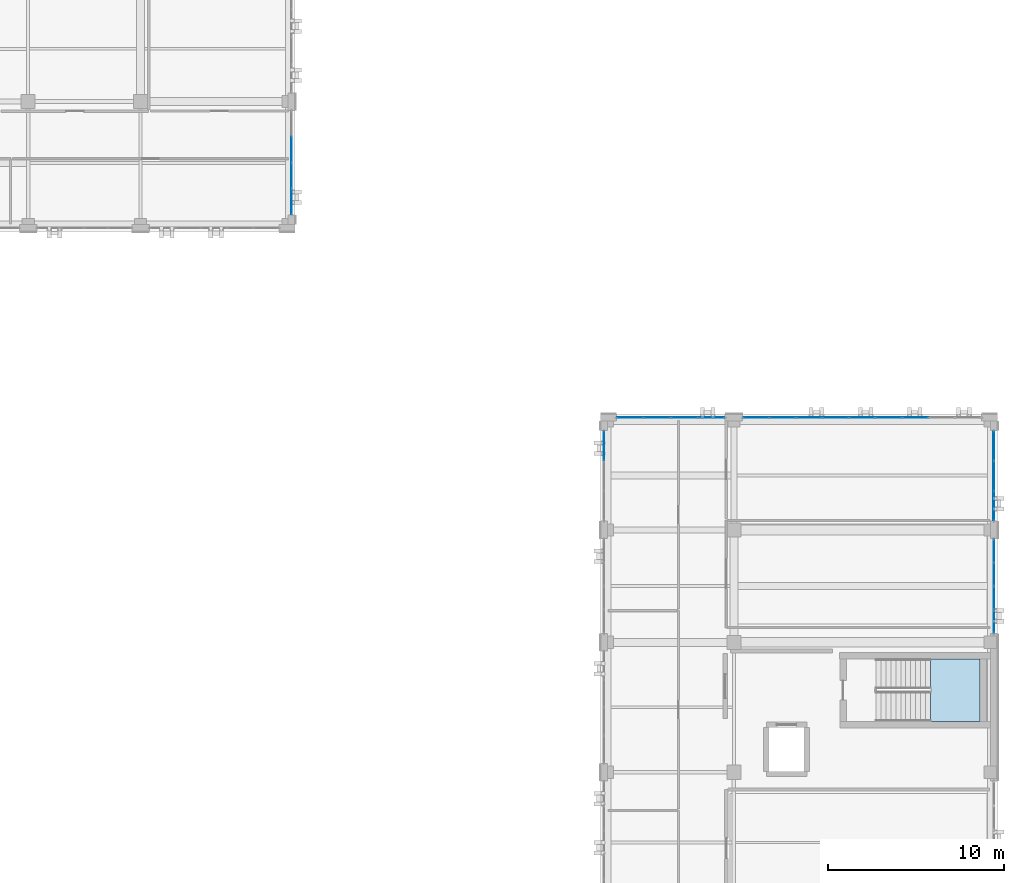
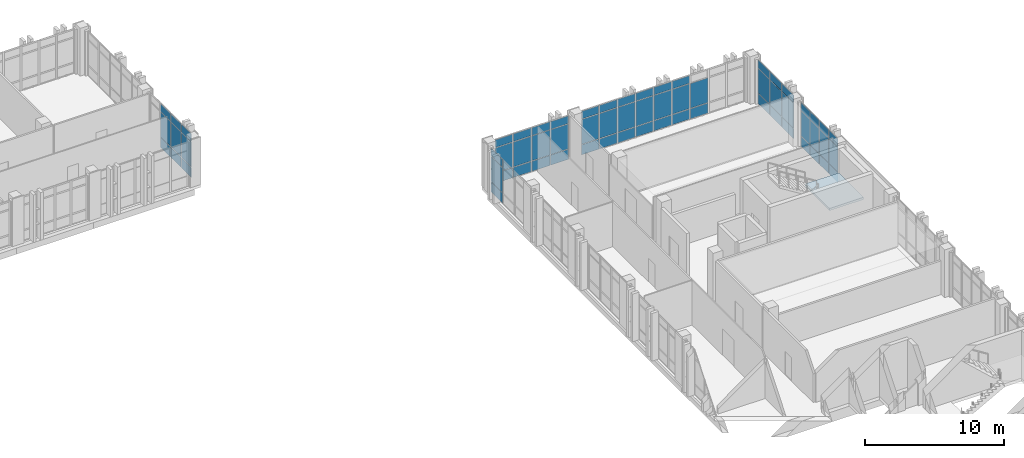
# One storey, part 126 of 158: 65 plates, 1 slab, 7 elements without a shape of their own.
"""IFC4 building model written with IfcOpenShell, lengths in metres."""

from ifc_helpers import new_model, si_unit, direction, frame, origin, origin_2d, place, context, subcontext, project, spatial, polyline, rectangle, outline, extrude, material, layer, layer_set, type_object, element, aggregate, save


model = new_model("IFC4")

# Units and contexts
model_context = context("Model", 3, precision=1e-05, world=origin(), true_north=direction((0.0, 1.0)))
body_context = subcontext(model_context, "Body", "Model", "MODEL_VIEW")
ifc_project = project(units=[si_unit("LENGTHUNIT", "METRE"), si_unit("AREAUNIT", "SQUARE_METRE"), si_unit("VOLUMEUNIT", "CUBIC_METRE"), si_unit("PLANEANGLEUNIT", "RADIAN"), si_unit("MASSUNIT", "GRAM", prefix="KILO")], contexts=[model_context])

# Site, building, storey
site_placement = place(None, origin())
site = spatial("IfcSite", under=ifc_project, at=site_placement, CompositionType="ELEMENT")
building_placement = place(site_placement, origin())
building = spatial("IfcBuilding", under=site, at=building_placement, Name="Qalavern Law Courts", CompositionType="ELEMENT")
storey_placement = place(building_placement, frame((0.0, 0.0, 18.60009765625)))
storey = spatial("IfcBuildingStorey", under=building, at=storey_placement, Name="L04", CompositionType="ELEMENT", Elevation=18.60009765625)

# Curtain wall, plates
ifc_material_1 = material(Name="Anodised aluminium and insulated glazing", Category="aluminium")
ifc_layer_1 = layer(ifc_material_1, 0.159912109375)
ifc_layer_set_1 = layer_set([ifc_layer_1], Name="Anodised aluminium and insulated glazing")
curtain_wall_type_1 = type_object("IfcCurtainWallType", Name="ENV-CW-CHAMB", PredefinedType="USERDEFINED", material=ifc_layer_set_1)
curtain_wall_1_placement = place(storey_placement, origin())
curtain_wall_1 = element("IfcCurtainWall", 1, at=curtain_wall_1_placement, inside=storey, type_object=curtain_wall_type_1, Name="V4 unitised curtain wall L04 north 1", ObjectType="UNITISED CURTAIN WALL", PredefinedType="USERDEFINED")
ifc_material_2 = material(Name="Insulated low-E acoustic glazing", Category="glass")
ifc_layer_2 = layer(ifc_material_2, 0.02392578125)
ifc_layer_set_2 = layer_set([ifc_layer_2], Name="Insulated low-E acoustic glazing")
plate_type_1 = type_object("IfcPlateType", Name="ENV-CWP-24", PredefinedType="CURTAIN_PANEL", material=ifc_layer_set_2)
plate_1_placement = place(storey_placement, frame((102.122314453125, 85.60009765625, 0.0478515625), z_axis=(0.0, 0.0, 1.0), x_axis=(-1.0, 0.0, 0.0)))
plate_1 = element("IfcPlate", 2, at=plate_1_placement, type_object=plate_type_1, Name="CW-04 panel 3.1", PredefinedType="CURTAIN_PANEL", context=body_context, shape_type="SweptSolid", body=[
    extrude(rectangle(XDim=1.463134765625, YDim=0.02392578125, at=origin_2d()), origin(), (0.0, 0.0, 1.0), 0.8779296875),
])
plate_2_placement = place(storey_placement, frame((102.122314453125, 85.60009765625, 0.97412109375), z_axis=(0.0, 0.0, 1.0), x_axis=(-1.0, 0.0, 0.0)))
plate_2 = element("IfcPlate", 3, at=plate_2_placement, type_object=plate_type_1, Name="CW-04 panel 3.2", PredefinedType="CURTAIN_PANEL", context=body_context, shape_type="SweptSolid", body=[
    extrude(rectangle(XDim=1.463134765625, YDim=0.02392578125, at=origin_2d()), origin(), (0.0, 0.0, 1.0), 2.177001953125),
])
plate_3_placement = place(storey_placement, frame((100.611083984375, 85.60009765625, 0.0478515625), z_axis=(0.0, 0.0, 1.0), x_axis=(-1.0, 0.0, 0.0)))
plate_3 = element("IfcPlate", 4, at=plate_3_placement, type_object=plate_type_1, Name="CW-04 panel 4.1", PredefinedType="CURTAIN_PANEL", context=body_context, shape_type="SweptSolid", body=[
    extrude(rectangle(XDim=1.463134765625, YDim=0.02392578125, at=origin_2d()), origin(), (0.0, 0.0, 1.0), 0.8779296875),
])
plate_4_placement = place(storey_placement, frame((100.611083984375, 85.60009765625, 0.97412109375), z_axis=(0.0, 0.0, 1.0), x_axis=(-1.0, 0.0, 0.0)))
plate_4 = element("IfcPlate", 5, at=plate_4_placement, type_object=plate_type_1, Name="CW-04 panel 4.2", PredefinedType="CURTAIN_PANEL", context=body_context, shape_type="SweptSolid", body=[
    extrude(rectangle(XDim=1.463134765625, YDim=0.02392578125, at=origin_2d()), origin(), (0.0, 0.0, 1.0), 2.177001953125),
])
plate_5_placement = place(storey_placement, frame((100.611083984375, 85.60009765625, 3.19873046875), z_axis=(0.0, 0.0, 1.0), x_axis=(-1.0, 0.0, 0.0)))
plate_5 = element("IfcPlate", 6, at=plate_5_placement, type_object=plate_type_1, Name="CW-04 panel 4.3", PredefinedType="CURTAIN_PANEL", context=body_context, shape_type="SweptSolid", body=[
    extrude(rectangle(XDim=1.463134765625, YDim=0.02392578125, at=origin_2d()), origin(), (0.0, 0.0, 1.0), 0.677978515625),
])
plate_6_placement = place(storey_placement, frame((99.10009765625, 85.60009765625, 0.0478515625), z_axis=(0.0, 0.0, 1.0), x_axis=(-1.0, 0.0, 0.0)))
plate_6 = element("IfcPlate", 7, at=plate_6_placement, type_object=plate_type_1, Name="CW-04 panel 5.1", PredefinedType="CURTAIN_PANEL", context=body_context, shape_type="SweptSolid", body=[
    extrude(rectangle(XDim=1.463134765625, YDim=0.02392578125, at=origin_2d()), origin(), (0.0, 0.0, 1.0), 0.8779296875),
])
plate_7_placement = place(storey_placement, frame((99.10009765625, 85.60009765625, 0.97412109375), z_axis=(0.0, 0.0, 1.0), x_axis=(-1.0, 0.0, 0.0)))
plate_7 = element("IfcPlate", 8, at=plate_7_placement, type_object=plate_type_1, Name="CW-04 panel 5.2", PredefinedType="CURTAIN_PANEL", context=body_context, shape_type="SweptSolid", body=[
    extrude(rectangle(XDim=1.463134765625, YDim=0.02392578125, at=origin_2d()), origin(), (0.0, 0.0, 1.0), 2.177001953125),
])
plate_8_placement = place(storey_placement, frame((99.10009765625, 85.60009765625, 3.19873046875), z_axis=(0.0, 0.0, 1.0), x_axis=(-1.0, 0.0, 0.0)))
plate_8 = element("IfcPlate", 9, at=plate_8_placement, type_object=plate_type_1, Name="CW-04 panel 5.3", PredefinedType="CURTAIN_PANEL", context=body_context, shape_type="SweptSolid", body=[
    extrude(rectangle(XDim=1.463134765625, YDim=0.02392578125, at=origin_2d()), origin(), (0.0, 0.0, 1.0), 0.677978515625),
])
plate_9_placement = place(storey_placement, frame((97.5888671875, 85.60009765625, 0.0478515625), z_axis=(0.0, 0.0, 1.0), x_axis=(-1.0, 0.0, 0.0)))
plate_9 = element("IfcPlate", 10, at=plate_9_placement, type_object=plate_type_1, Name="CW-04 panel 6.1", PredefinedType="CURTAIN_PANEL", context=body_context, shape_type="SweptSolid", body=[
    extrude(rectangle(XDim=1.463134765625, YDim=0.02392578125, at=origin_2d()), origin(), (0.0, 0.0, 1.0), 0.8779296875),
])
plate_10_placement = place(storey_placement, frame((97.5888671875, 85.60009765625, 0.97412109375), z_axis=(0.0, 0.0, 1.0), x_axis=(-1.0, 0.0, 0.0)))
plate_10 = element("IfcPlate", 11, at=plate_10_placement, type_object=plate_type_1, Name="CW-04 panel 6.2", PredefinedType="CURTAIN_PANEL", context=body_context, shape_type="SweptSolid", body=[
    extrude(rectangle(XDim=1.463134765625, YDim=0.02392578125, at=origin_2d()), origin(), (0.0, 0.0, 1.0), 2.177001953125),
])
plate_11_placement = place(storey_placement, frame((97.5888671875, 85.60009765625, 3.19873046875), z_axis=(0.0, 0.0, 1.0), x_axis=(-1.0, 0.0, 0.0)))
plate_11 = element("IfcPlate", 12, at=plate_11_placement, type_object=plate_type_1, Name="CW-04 panel 6.3", PredefinedType="CURTAIN_PANEL", context=body_context, shape_type="SweptSolid", body=[
    extrude(rectangle(XDim=1.463134765625, YDim=0.02392578125, at=origin_2d()), origin(), (0.0, 0.0, 1.0), 0.677978515625),
])
plate_12_placement = place(storey_placement, frame((96.077880859375, 85.60009765625, 0.0478515625), z_axis=(0.0, 0.0, 1.0), x_axis=(-1.0, 0.0, 0.0)))
plate_12 = element("IfcPlate", 13, at=plate_12_placement, type_object=plate_type_1, Name="CW-04 panel 7.1", PredefinedType="CURTAIN_PANEL", context=body_context, shape_type="SweptSolid", body=[
    extrude(rectangle(XDim=1.463134765625, YDim=0.02392578125, at=origin_2d()), origin(), (0.0, 0.0, 1.0), 0.8779296875),
])
plate_13_placement = place(storey_placement, frame((96.077880859375, 85.60009765625, 0.97412109375), z_axis=(0.0, 0.0, 1.0), x_axis=(-1.0, 0.0, 0.0)))
plate_13 = element("IfcPlate", 14, at=plate_13_placement, type_object=plate_type_1, Name="CW-04 panel 7.2", PredefinedType="CURTAIN_PANEL", context=body_context, shape_type="SweptSolid", body=[
    extrude(rectangle(XDim=1.463134765625, YDim=0.02392578125, at=origin_2d()), origin(), (0.0, 0.0, 1.0), 2.177001953125),
])
plate_14_placement = place(storey_placement, frame((96.077880859375, 85.60009765625, 3.19873046875), z_axis=(0.0, 0.0, 1.0), x_axis=(-1.0, 0.0, 0.0)))
plate_14 = element("IfcPlate", 15, at=plate_14_placement, type_object=plate_type_1, Name="CW-04 panel 7.3", PredefinedType="CURTAIN_PANEL", context=body_context, shape_type="SweptSolid", body=[
    extrude(rectangle(XDim=1.463134765625, YDim=0.02392578125, at=origin_2d()), origin(), (0.0, 0.0, 1.0), 0.677978515625),
])
plate_15_placement = place(storey_placement, frame((94.566650390625, 85.60009765625, 0.0478515625), z_axis=(0.0, 0.0, 1.0), x_axis=(-1.0, 0.0, 0.0)))
plate_15 = element("IfcPlate", 16, at=plate_15_placement, type_object=plate_type_1, Name="CW-04 panel 8.1", PredefinedType="CURTAIN_PANEL", context=body_context, shape_type="SweptSolid", body=[
    extrude(rectangle(XDim=1.463134765625, YDim=0.02392578125, at=origin_2d()), origin(), (0.0, 0.0, 1.0), 0.8779296875),
])
plate_16_placement = place(storey_placement, frame((94.566650390625, 85.60009765625, 0.97412109375), z_axis=(0.0, 0.0, 1.0), x_axis=(-1.0, 0.0, 0.0)))
plate_16 = element("IfcPlate", 17, at=plate_16_placement, type_object=plate_type_1, Name="CW-04 panel 8.2", PredefinedType="CURTAIN_PANEL", context=body_context, shape_type="SweptSolid", body=[
    extrude(rectangle(XDim=1.463134765625, YDim=0.02392578125, at=origin_2d()), origin(), (0.0, 0.0, 1.0), 2.177001953125),
])
plate_17_placement = place(storey_placement, frame((94.566650390625, 85.60009765625, 3.19873046875), z_axis=(0.0, 0.0, 1.0), x_axis=(-1.0, 0.0, 0.0)))
plate_17 = element("IfcPlate", 18, at=plate_17_placement, type_object=plate_type_1, Name="CW-04 panel 8.3", PredefinedType="CURTAIN_PANEL", context=body_context, shape_type="SweptSolid", body=[
    extrude(rectangle(XDim=1.463134765625, YDim=0.02392578125, at=origin_2d()), origin(), (0.0, 0.0, 1.0), 0.677978515625),
])
plate_18_placement = place(storey_placement, frame((93.067626953125, 85.60009765625, 0.0478515625), z_axis=(0.0, 0.0, 1.0), x_axis=(-1.0, 0.0, 0.0)))
plate_18 = element("IfcPlate", 19, at=plate_18_placement, type_object=plate_type_1, Name="CW-04 panel 9.1", PredefinedType="CURTAIN_PANEL", context=body_context, shape_type="SweptSolid", body=[
    extrude(rectangle(XDim=1.439208984375, YDim=0.02392578125, at=origin_2d()), origin(), (0.0, 0.0, 1.0), 0.8779296875),
])
plate_19_placement = place(storey_placement, frame((93.067626953125, 85.60009765625, 0.97412109375), z_axis=(0.0, 0.0, 1.0), x_axis=(-1.0, 0.0, 0.0)))
plate_19 = element("IfcPlate", 20, at=plate_19_placement, type_object=plate_type_1, Name="CW-04 panel 9.2", PredefinedType="CURTAIN_PANEL", context=body_context, shape_type="SweptSolid", body=[
    extrude(rectangle(XDim=1.439208984375, YDim=0.02392578125, at=origin_2d()), origin(), (0.0, 0.0, 1.0), 2.177001953125),
])
plate_20_placement = place(storey_placement, frame((93.067626953125, 85.60009765625, 3.19873046875), z_axis=(0.0, 0.0, 1.0), x_axis=(-1.0, 0.0, 0.0)))
plate_20 = element("IfcPlate", 21, at=plate_20_placement, type_object=plate_type_1, Name="CW-04 panel 9.3", PredefinedType="CURTAIN_PANEL", context=body_context, shape_type="SweptSolid", body=[
    extrude(rectangle(XDim=1.439208984375, YDim=0.02392578125, at=origin_2d()), origin(), (0.0, 0.0, 1.0), 0.677978515625),
])
aggregate(curtain_wall_1, [plate_1, plate_2, plate_3, plate_4, plate_5, plate_6, plate_7, plate_8, plate_9, plate_10, plate_11, plate_12, plate_13, plate_14, plate_15, plate_16, plate_17, plate_18, plate_19, plate_20])

curtain_wall_2_placement = place(storey_placement, origin())
curtain_wall_2 = element("IfcCurtainWall", 22, at=curtain_wall_2_placement, inside=storey, type_object=curtain_wall_type_1, Name="V4 unitised curtain wall L04 west 1", ObjectType="UNITISED CURTAIN WALL", PredefinedType="USERDEFINED")
plate_21_placement = place(storey_placement, frame((84.39990234375, 83.98388671875, 0.0478515625), z_axis=(0.0, 0.0, 1.0), x_axis=(0.0, -1.0, 0.0)))
plate_21 = element("IfcPlate", 23, at=plate_21_placement, type_object=plate_type_1, Name="CW-04 panel 1.1", PredefinedType="CURTAIN_PANEL", context=body_context, shape_type="SweptSolid", body=[
    extrude(rectangle(XDim=1.646240234375, YDim=0.02392578125, at=origin_2d()), origin(), (0.0, 0.0, 1.0), 0.8779296875),
])
plate_22_placement = place(storey_placement, frame((84.39990234375, 83.98388671875, 0.97412109375), z_axis=(0.0, 0.0, 1.0), x_axis=(0.0, -1.0, 0.0)))
plate_22 = element("IfcPlate", 24, at=plate_22_placement, type_object=plate_type_1, Name="CW-04 panel 1.2", PredefinedType="CURTAIN_PANEL", context=body_context, shape_type="SweptSolid", body=[
    extrude(rectangle(XDim=1.646240234375, YDim=0.02392578125, at=origin_2d()), origin(), (0.0, 0.0, 1.0), 2.177001953125),
])
plate_23_placement = place(storey_placement, frame((84.39990234375, 83.98388671875, 3.19873046875), z_axis=(0.0, 0.0, 1.0), x_axis=(0.0, -1.0, 0.0)))
plate_23 = element("IfcPlate", 25, at=plate_23_placement, type_object=plate_type_1, Name="CW-04 panel 1.3", PredefinedType="CURTAIN_PANEL", context=body_context, shape_type="SweptSolid", body=[
    extrude(rectangle(XDim=1.646240234375, YDim=0.02392578125, at=origin_2d()), origin(), (0.0, 0.0, 1.0), 0.677978515625),
])
aggregate(curtain_wall_2, [plate_21, plate_22, plate_23])

ifc_layer_3 = layer(ifc_material_1, 0.166015625)
ifc_layer_set_3 = layer_set([ifc_layer_3], Name="Anodised aluminium and insulated glazing")
curtain_wall_type_2 = type_object("IfcCurtainWallType", Name="ENV-CW-LIB", PredefinedType="USERDEFINED", material=ifc_layer_set_3)
curtain_wall_3_placement = place(storey_placement, origin())
curtain_wall_3 = element("IfcCurtainWall", 26, at=curtain_wall_3_placement, inside=storey, type_object=curtain_wall_type_2, Name="V5 unitised curtain wall L04 east 1", ObjectType="UNITISED CURTAIN WALL", PredefinedType="USERDEFINED")
plate_24_placement = place(storey_placement, frame((66.60009765625, 97.9013671875, 0.0478515625), z_axis=(0.0, 0.0, 1.0), x_axis=(0.0, 1.0, 0.0)))
plate_24 = element("IfcPlate", 27, at=plate_24_placement, type_object=plate_type_1, Name="CW-05 panel 1.1", PredefinedType="CURTAIN_PANEL", context=body_context, shape_type="SweptSolid", body=[
    extrude(rectangle(XDim=1.416748046875, YDim=0.02392578125, at=origin_2d()), origin(), (0.0, 0.0, 1.0), 0.8779296875),
])
plate_25_placement = place(storey_placement, frame((66.60009765625, 97.9013671875, 0.97412109375), z_axis=(0.0, 0.0, 1.0), x_axis=(0.0, 1.0, 0.0)))
plate_25 = element("IfcPlate", 28, at=plate_25_placement, type_object=plate_type_1, Name="CW-05 panel 1.2", PredefinedType="CURTAIN_PANEL", context=body_context, shape_type="SweptSolid", body=[
    extrude(rectangle(XDim=1.416748046875, YDim=0.02392578125, at=origin_2d()), origin(), (0.0, 0.0, 1.0), 2.177001953125),
])
plate_26_placement = place(storey_placement, frame((66.60009765625, 97.9013671875, 3.19873046875), z_axis=(0.0, 0.0, 1.0), x_axis=(0.0, 1.0, 0.0)))
plate_26 = element("IfcPlate", 29, at=plate_26_placement, type_object=plate_type_1, Name="CW-05 panel 1.3", PredefinedType="CURTAIN_PANEL", context=body_context, shape_type="SweptSolid", body=[
    extrude(rectangle(XDim=1.416748046875, YDim=0.02392578125, at=origin_2d()), origin(), (0.0, 0.0, 1.0), 0.677978515625),
])
plate_27_placement = place(storey_placement, frame((66.60009765625, 99.378173828125, 0.0478515625), z_axis=(0.0, 0.0, 1.0), x_axis=(0.0, 1.0, 0.0)))
plate_27 = element("IfcPlate", 30, at=plate_27_placement, type_object=plate_type_1, Name="CW-05 panel 2.1", PredefinedType="CURTAIN_PANEL", context=body_context, shape_type="SweptSolid", body=[
    extrude(rectangle(XDim=1.440673828125, YDim=0.02392578125, at=origin_2d()), origin(), (0.0, 0.0, 1.0), 0.8779296875),
])
plate_28_placement = place(storey_placement, frame((66.60009765625, 99.378173828125, 0.97412109375), z_axis=(0.0, 0.0, 1.0), x_axis=(0.0, 1.0, 0.0)))
plate_28 = element("IfcPlate", 31, at=plate_28_placement, type_object=plate_type_1, Name="CW-05 panel 2.2", PredefinedType="CURTAIN_PANEL", context=body_context, shape_type="SweptSolid", body=[
    extrude(rectangle(XDim=1.440673828125, YDim=0.02392578125, at=origin_2d()), origin(), (0.0, 0.0, 1.0), 2.177001953125),
])
plate_29_placement = place(storey_placement, frame((66.60009765625, 99.378173828125, 3.19873046875), z_axis=(0.0, 0.0, 1.0), x_axis=(0.0, 1.0, 0.0)))
plate_29 = element("IfcPlate", 32, at=plate_29_placement, type_object=plate_type_1, Name="CW-05 panel 2.3", PredefinedType="CURTAIN_PANEL", context=body_context, shape_type="SweptSolid", body=[
    extrude(rectangle(XDim=1.440673828125, YDim=0.02392578125, at=origin_2d()), origin(), (0.0, 0.0, 1.0), 0.677978515625),
])
plate_30_placement = place(storey_placement, frame((66.60009765625, 100.866943359375, 0.0478515625), z_axis=(0.0, 0.0, 1.0), x_axis=(0.0, 1.0, 0.0)))
plate_30 = element("IfcPlate", 33, at=plate_30_placement, type_object=plate_type_1, Name="CW-05 panel 3.1", PredefinedType="CURTAIN_PANEL", context=body_context, shape_type="SweptSolid", body=[
    extrude(rectangle(XDim=1.440673828125, YDim=0.02392578125, at=origin_2d()), origin(), (0.0, 0.0, 1.0), 0.8779296875),
])
plate_31_placement = place(storey_placement, frame((66.60009765625, 100.866943359375, 0.97412109375), z_axis=(0.0, 0.0, 1.0), x_axis=(0.0, 1.0, 0.0)))
plate_31 = element("IfcPlate", 34, at=plate_31_placement, type_object=plate_type_1, Name="CW-05 panel 3.2", PredefinedType="CURTAIN_PANEL", context=body_context, shape_type="SweptSolid", body=[
    extrude(rectangle(XDim=1.440673828125, YDim=0.02392578125, at=origin_2d()), origin(), (0.0, 0.0, 1.0), 2.177001953125),
])
plate_32_placement = place(storey_placement, frame((66.60009765625, 100.866943359375, 3.19873046875), z_axis=(0.0, 0.0, 1.0), x_axis=(0.0, 1.0, 0.0)))
plate_32 = element("IfcPlate", 35, at=plate_32_placement, type_object=plate_type_1, Name="CW-05 panel 3.3", PredefinedType="CURTAIN_PANEL", context=body_context, shape_type="SweptSolid", body=[
    extrude(rectangle(XDim=1.440673828125, YDim=0.02392578125, at=origin_2d()), origin(), (0.0, 0.0, 1.0), 0.677978515625),
])
aggregate(curtain_wall_3, [plate_24, plate_25, plate_26, plate_27, plate_28, plate_29, plate_30, plate_31, plate_32])

curtain_wall_4_placement = place(storey_placement, origin())
curtain_wall_4 = element("IfcCurtainWall", 36, at=curtain_wall_4_placement, inside=storey, type_object=curtain_wall_type_1, Name="V4 unitised curtain wall L04 north 2", ObjectType="UNITISED CURTAIN WALL", PredefinedType="USERDEFINED")
ifc_layer_4 = layer(ifc_material_2, 0.028076171875)
ifc_layer_set_4 = layer_set([ifc_layer_4], Name="Insulated low-E acoustic glazing")
plate_type_2 = type_object("IfcPlateType", Name="ENV-CWP-28", PredefinedType="CURTAIN_PANEL", material=ifc_layer_set_4)
plate_33_placement = place(storey_placement, frame((90.512939453125, 85.60009765625, 0.0478515625), z_axis=(0.0, 0.0, 1.0), x_axis=(-1.0, 0.0, 0.0)))
plate_33 = element("IfcPlate", 37, at=plate_33_placement, type_object=plate_type_2, Name="CW-04 panel 1.1", PredefinedType="CURTAIN_PANEL", context=body_context, shape_type="SweptSolid", body=[
    extrude(rectangle(XDim=1.47802734375, YDim=0.028076171875, at=origin_2d()), origin(), (0.0, 0.0, 1.0), 0.8779296875),
])
plate_34_placement = place(storey_placement, frame((90.512939453125, 85.60009765625, 0.97412109375), z_axis=(0.0, 0.0, 1.0), x_axis=(-1.0, 0.0, 0.0)))
plate_34 = element("IfcPlate", 38, at=plate_34_placement, type_object=plate_type_2, Name="CW-04 panel 1.2", PredefinedType="CURTAIN_PANEL", context=body_context, shape_type="SweptSolid", body=[
    extrude(rectangle(XDim=1.47802734375, YDim=0.028076171875, at=origin_2d()), origin(), (0.0, 0.0, 1.0), 2.177001953125),
])
plate_35_placement = place(storey_placement, frame((90.512939453125, 85.60009765625, 3.19873046875), z_axis=(0.0, 0.0, 1.0), x_axis=(-1.0, 0.0, 0.0)))
plate_35 = element("IfcPlate", 39, at=plate_35_placement, type_object=plate_type_2, Name="CW-04 panel 1.3", PredefinedType="CURTAIN_PANEL", context=body_context, shape_type="SweptSolid", body=[
    extrude(rectangle(XDim=1.47802734375, YDim=0.028076171875, at=origin_2d()), origin(), (0.0, 0.0, 1.0), 0.677978515625),
])
plate_36_placement = place(storey_placement, frame((88.97509765625, 85.60009765625, 0.0478515625), z_axis=(0.0, 0.0, 1.0), x_axis=(-1.0, 0.0, 0.0)))
plate_36 = element("IfcPlate", 40, at=plate_36_placement, type_object=plate_type_2, Name="CW-04 panel 2.1", PredefinedType="CURTAIN_PANEL", context=body_context, shape_type="SweptSolid", body=[
    extrude(rectangle(XDim=1.501953125, YDim=0.028076171875, at=origin_2d()), origin(), (0.0, 0.0, 1.0), 0.8779296875),
])
plate_37_placement = place(storey_placement, frame((88.97509765625, 85.60009765625, 0.97412109375), z_axis=(0.0, 0.0, 1.0), x_axis=(-1.0, 0.0, 0.0)))
plate_37 = element("IfcPlate", 41, at=plate_37_placement, type_object=plate_type_2, Name="CW-04 panel 2.2", PredefinedType="CURTAIN_PANEL", context=body_context, shape_type="SweptSolid", body=[
    extrude(rectangle(XDim=1.501953125, YDim=0.028076171875, at=origin_2d()), origin(), (0.0, 0.0, 1.0), 2.177001953125),
])
plate_38_placement = place(storey_placement, frame((88.97509765625, 85.60009765625, 3.19873046875), z_axis=(0.0, 0.0, 1.0), x_axis=(-1.0, 0.0, 0.0)))
plate_38 = element("IfcPlate", 42, at=plate_38_placement, type_object=plate_type_2, Name="CW-04 panel 2.3", PredefinedType="CURTAIN_PANEL", context=body_context, shape_type="SweptSolid", body=[
    extrude(rectangle(XDim=1.501953125, YDim=0.028076171875, at=origin_2d()), origin(), (0.0, 0.0, 1.0), 0.677978515625),
])
plate_39_placement = place(storey_placement, frame((87.425048828125, 85.60009765625, 0.0478515625), z_axis=(0.0, 0.0, 1.0), x_axis=(-1.0, 0.0, 0.0)))
plate_39 = element("IfcPlate", 43, at=plate_39_placement, type_object=plate_type_2, Name="CW-04 panel 3.1", PredefinedType="CURTAIN_PANEL", context=body_context, shape_type="SweptSolid", body=[
    extrude(rectangle(XDim=1.501953125, YDim=0.028076171875, at=origin_2d()), origin(), (0.0, 0.0, 1.0), 0.8779296875),
])
plate_40_placement = place(storey_placement, frame((87.425048828125, 85.60009765625, 0.97412109375), z_axis=(0.0, 0.0, 1.0), x_axis=(-1.0, 0.0, 0.0)))
plate_40 = element("IfcPlate", 44, at=plate_40_placement, type_object=plate_type_2, Name="CW-04 panel 3.2", PredefinedType="CURTAIN_PANEL", context=body_context, shape_type="SweptSolid", body=[
    extrude(rectangle(XDim=1.501953125, YDim=0.028076171875, at=origin_2d()), origin(), (0.0, 0.0, 1.0), 2.177001953125),
])
plate_41_placement = place(storey_placement, frame((87.425048828125, 85.60009765625, 3.19873046875), z_axis=(0.0, 0.0, 1.0), x_axis=(-1.0, 0.0, 0.0)))
plate_41 = element("IfcPlate", 45, at=plate_41_placement, type_object=plate_type_2, Name="CW-04 panel 3.3", PredefinedType="CURTAIN_PANEL", context=body_context, shape_type="SweptSolid", body=[
    extrude(rectangle(XDim=1.501953125, YDim=0.028076171875, at=origin_2d()), origin(), (0.0, 0.0, 1.0), 0.677978515625),
])
plate_42_placement = place(storey_placement, frame((85.886962890625, 85.60009765625, 0.0478515625), z_axis=(0.0, 0.0, 1.0), x_axis=(-1.0, 0.0, 0.0)))
plate_42 = element("IfcPlate", 46, at=plate_42_placement, type_object=plate_type_2, Name="CW-04 panel 4.1", PredefinedType="CURTAIN_PANEL", context=body_context, shape_type="SweptSolid", body=[
    extrude(rectangle(XDim=1.47802734375, YDim=0.028076171875, at=origin_2d()), origin(), (0.0, 0.0, 1.0), 0.8779296875),
])
plate_43_placement = place(storey_placement, frame((85.886962890625, 85.60009765625, 0.97412109375), z_axis=(0.0, 0.0, 1.0), x_axis=(-1.0, 0.0, 0.0)))
plate_43 = element("IfcPlate", 47, at=plate_43_placement, type_object=plate_type_2, Name="CW-04 panel 4.2", PredefinedType="CURTAIN_PANEL", context=body_context, shape_type="SweptSolid", body=[
    extrude(rectangle(XDim=1.47802734375, YDim=0.028076171875, at=origin_2d()), origin(), (0.0, 0.0, 1.0), 2.177001953125),
])
plate_44_placement = place(storey_placement, frame((85.886962890625, 85.60009765625, 3.19873046875), z_axis=(0.0, 0.0, 1.0), x_axis=(-1.0, 0.0, 0.0)))
plate_44 = element("IfcPlate", 48, at=plate_44_placement, type_object=plate_type_2, Name="CW-04 panel 4.3", PredefinedType="CURTAIN_PANEL", context=body_context, shape_type="SweptSolid", body=[
    extrude(rectangle(XDim=1.47802734375, YDim=0.028076171875, at=origin_2d()), origin(), (0.0, 0.0, 1.0), 0.677978515625),
])
aggregate(curtain_wall_4, [plate_33, plate_34, plate_35, plate_36, plate_37, plate_38, plate_39, plate_40, plate_41, plate_42, plate_43, plate_44])

curtain_wall_5_placement = place(storey_placement, origin())
curtain_wall_5 = element("IfcCurtainWall", 49, at=curtain_wall_5_placement, inside=storey, type_object=curtain_wall_type_1, Name="V4 unitised curtain wall L04 east 4", ObjectType="UNITISED CURTAIN WALL", PredefinedType="USERDEFINED")
ifc_layer_5 = layer(ifc_material_2, 0.035888671875)
ifc_layer_set_5 = layer_set([ifc_layer_5], Name="Insulated low-E acoustic glazing")
plate_type_3 = type_object("IfcPlateType", Name="ENV-CWP-36", PredefinedType="CURTAIN_PANEL", material=ifc_layer_set_5)
plate_45_placement = place(storey_placement, frame((106.60009765625, 73.987060546875, 0.0478515625), z_axis=(0.0, 0.0, 1.0), x_axis=(0.0, 1.0, 0.0)))
plate_45 = element("IfcPlate", 50, at=plate_45_placement, type_object=plate_type_3, Name="CW-04 panel 1.1", PredefinedType="CURTAIN_PANEL", context=body_context, shape_type="SweptSolid", body=[
    extrude(rectangle(XDim=1.278076171875, YDim=0.035888671875, at=origin_2d()), origin(), (0.0, 0.0, 1.0), 0.8779296875),
])
plate_46_placement = place(storey_placement, frame((106.60009765625, 73.987060546875, 0.97412109375), z_axis=(0.0, 0.0, 1.0), x_axis=(0.0, 1.0, 0.0)))
plate_46 = element("IfcPlate", 51, at=plate_46_placement, type_object=plate_type_3, Name="CW-04 panel 1.2", PredefinedType="CURTAIN_PANEL", context=body_context, shape_type="SweptSolid", body=[
    extrude(rectangle(XDim=1.278076171875, YDim=0.035888671875, at=origin_2d()), origin(), (0.0, 0.0, 1.0), 2.177001953125),
])
plate_47_placement = place(storey_placement, frame((106.60009765625, 73.987060546875, 3.19873046875), z_axis=(0.0, 0.0, 1.0), x_axis=(0.0, 1.0, 0.0)))
plate_47 = element("IfcPlate", 52, at=plate_47_placement, type_object=plate_type_3, Name="CW-04 panel 1.3", PredefinedType="CURTAIN_PANEL", context=body_context, shape_type="SweptSolid", body=[
    extrude(rectangle(XDim=1.278076171875, YDim=0.035888671875, at=origin_2d()), origin(), (0.0, 0.0, 1.0), 0.677978515625),
])
plate_48_placement = place(storey_placement, frame((106.60009765625, 75.324951171875, 0.0478515625), z_axis=(0.0, 0.0, 1.0), x_axis=(0.0, 1.0, 0.0)))
plate_48 = element("IfcPlate", 53, at=plate_48_placement, type_object=plate_type_3, Name="CW-04 panel 2.1", PredefinedType="CURTAIN_PANEL", context=body_context, shape_type="SweptSolid", body=[
    extrude(rectangle(XDim=1.302001953125, YDim=0.035888671875, at=origin_2d()), origin(), (0.0, 0.0, 1.0), 0.8779296875),
])
plate_49_placement = place(storey_placement, frame((106.60009765625, 75.324951171875, 0.97412109375), z_axis=(0.0, 0.0, 1.0), x_axis=(0.0, 1.0, 0.0)))
plate_49 = element("IfcPlate", 54, at=plate_49_placement, type_object=plate_type_3, Name="CW-04 panel 2.2", PredefinedType="CURTAIN_PANEL", context=body_context, shape_type="SweptSolid", body=[
    extrude(rectangle(XDim=1.302001953125, YDim=0.035888671875, at=origin_2d()), origin(), (0.0, 0.0, 1.0), 2.177001953125),
])
plate_50_placement = place(storey_placement, frame((106.60009765625, 75.324951171875, 3.19873046875), z_axis=(0.0, 0.0, 1.0), x_axis=(0.0, 1.0, 0.0)))
plate_50 = element("IfcPlate", 55, at=plate_50_placement, type_object=plate_type_3, Name="CW-04 panel 2.3", PredefinedType="CURTAIN_PANEL", context=body_context, shape_type="SweptSolid", body=[
    extrude(rectangle(XDim=1.302001953125, YDim=0.035888671875, at=origin_2d()), origin(), (0.0, 0.0, 1.0), 0.677978515625),
])
plate_51_placement = place(storey_placement, frame((106.60009765625, 76.675048828125, 0.0478515625), z_axis=(0.0, 0.0, 1.0), x_axis=(0.0, 1.0, 0.0)))
plate_51 = element("IfcPlate", 56, at=plate_51_placement, type_object=plate_type_3, Name="CW-04 panel 3.1", PredefinedType="CURTAIN_PANEL", context=body_context, shape_type="SweptSolid", body=[
    extrude(rectangle(XDim=1.302001953125, YDim=0.035888671875, at=origin_2d()), origin(), (0.0, 0.0, 1.0), 0.8779296875),
])
plate_52_placement = place(storey_placement, frame((106.60009765625, 76.675048828125, 0.97412109375), z_axis=(0.0, 0.0, 1.0), x_axis=(0.0, 1.0, 0.0)))
plate_52 = element("IfcPlate", 57, at=plate_52_placement, type_object=plate_type_3, Name="CW-04 panel 3.2", PredefinedType="CURTAIN_PANEL", context=body_context, shape_type="SweptSolid", body=[
    extrude(rectangle(XDim=1.302001953125, YDim=0.035888671875, at=origin_2d()), origin(), (0.0, 0.0, 1.0), 2.177001953125),
])
plate_53_placement = place(storey_placement, frame((106.60009765625, 76.675048828125, 3.19873046875), z_axis=(0.0, 0.0, 1.0), x_axis=(0.0, 1.0, 0.0)))
plate_53 = element("IfcPlate", 58, at=plate_53_placement, type_object=plate_type_3, Name="CW-04 panel 3.3", PredefinedType="CURTAIN_PANEL", context=body_context, shape_type="SweptSolid", body=[
    extrude(rectangle(XDim=1.302001953125, YDim=0.035888671875, at=origin_2d()), origin(), (0.0, 0.0, 1.0), 0.677978515625),
])
plate_54_placement = place(storey_placement, frame((106.60009765625, 78.012939453125, 0.0478515625), z_axis=(0.0, 0.0, 1.0), x_axis=(0.0, 1.0, 0.0)))
plate_54 = element("IfcPlate", 59, at=plate_54_placement, type_object=plate_type_3, Name="CW-04 panel 4.1", PredefinedType="CURTAIN_PANEL", context=body_context, shape_type="SweptSolid", body=[
    extrude(rectangle(XDim=1.278076171875, YDim=0.035888671875, at=origin_2d()), origin(), (0.0, 0.0, 1.0), 0.8779296875),
])
plate_55_placement = place(storey_placement, frame((106.60009765625, 78.012939453125, 0.97412109375), z_axis=(0.0, 0.0, 1.0), x_axis=(0.0, 1.0, 0.0)))
plate_55 = element("IfcPlate", 60, at=plate_55_placement, type_object=plate_type_3, Name="CW-04 panel 4.2", PredefinedType="CURTAIN_PANEL", context=body_context, shape_type="SweptSolid", body=[
    extrude(rectangle(XDim=1.278076171875, YDim=0.035888671875, at=origin_2d()), origin(), (0.0, 0.0, 1.0), 2.177001953125),
])
plate_56_placement = place(storey_placement, frame((106.60009765625, 78.012939453125, 3.19873046875), z_axis=(0.0, 0.0, 1.0), x_axis=(0.0, 1.0, 0.0)))
plate_56 = element("IfcPlate", 61, at=plate_56_placement, type_object=plate_type_3, Name="CW-04 panel 4.3", PredefinedType="CURTAIN_PANEL", context=body_context, shape_type="SweptSolid", body=[
    extrude(rectangle(XDim=1.278076171875, YDim=0.035888671875, at=origin_2d()), origin(), (0.0, 0.0, 1.0), 0.677978515625),
])
aggregate(curtain_wall_5, [plate_45, plate_46, plate_47, plate_48, plate_49, plate_50, plate_51, plate_52, plate_53, plate_54, plate_55, plate_56])

curtain_wall_6_placement = place(storey_placement, origin())
curtain_wall_6 = element("IfcCurtainWall", 62, at=curtain_wall_6_placement, inside=storey, type_object=curtain_wall_type_1, Name="V4 unitised curtain wall L04 east 5", ObjectType="UNITISED CURTAIN WALL", PredefinedType="USERDEFINED")
ifc_layer_6 = layer(ifc_material_2, 0.0400390625)
ifc_layer_set_6 = layer_set([ifc_layer_6], Name="Insulated low-E acoustic glazing")
plate_type_4 = type_object("IfcPlateType", Name="ENV-CWP-40", PredefinedType="CURTAIN_PANEL", material=ifc_layer_set_6)
plate_57_placement = place(storey_placement, frame((106.60009765625, 80.571044921875, 0.0478515625), z_axis=(0.0, 0.0, 1.0), x_axis=(0.0, 1.0, 0.0)))
plate_57 = element("IfcPlate", 63, at=plate_57_placement, type_object=plate_type_4, Name="CW-04 panel 1.1", PredefinedType="CURTAIN_PANEL", context=body_context, shape_type="SweptSolid", body=[
    extrude(rectangle(XDim=1.646240234375, YDim=0.0400390625, at=origin_2d()), origin(), (0.0, 0.0, 1.0), 0.8779296875),
])
plate_58_placement = place(storey_placement, frame((106.60009765625, 80.571044921875, 0.97412109375), z_axis=(0.0, 0.0, 1.0), x_axis=(0.0, 1.0, 0.0)))
plate_58 = element("IfcPlate", 64, at=plate_58_placement, type_object=plate_type_4, Name="CW-04 panel 1.2", PredefinedType="CURTAIN_PANEL", context=body_context, shape_type="SweptSolid", body=[
    extrude(rectangle(XDim=1.646240234375, YDim=0.0400390625, at=origin_2d()), origin(), (0.0, 0.0, 1.0), 2.177001953125),
])
plate_59_placement = place(storey_placement, frame((106.60009765625, 80.571044921875, 3.19873046875), z_axis=(0.0, 0.0, 1.0), x_axis=(0.0, 1.0, 0.0)))
plate_59 = element("IfcPlate", 65, at=plate_59_placement, type_object=plate_type_4, Name="CW-04 panel 1.3", PredefinedType="CURTAIN_PANEL", context=body_context, shape_type="SweptSolid", body=[
    extrude(rectangle(XDim=1.646240234375, YDim=0.0400390625, at=origin_2d()), origin(), (0.0, 0.0, 1.0), 0.677978515625),
])
plate_60_placement = place(storey_placement, frame((106.60009765625, 82.277587890625, 0.0478515625), z_axis=(0.0, 0.0, 1.0), x_axis=(0.0, 1.0, 0.0)))
plate_60 = element("IfcPlate", 66, at=plate_60_placement, type_object=plate_type_4, Name="CW-04 panel 2.1", PredefinedType="CURTAIN_PANEL", context=body_context, shape_type="SweptSolid", body=[
    extrude(rectangle(XDim=1.67041015625, YDim=0.0400390625, at=origin_2d()), origin(), (0.0, 0.0, 1.0), 0.8779296875),
])
plate_61_placement = place(storey_placement, frame((106.60009765625, 82.277587890625, 0.97412109375), z_axis=(0.0, 0.0, 1.0), x_axis=(0.0, 1.0, 0.0)))
plate_61 = element("IfcPlate", 67, at=plate_61_placement, type_object=plate_type_4, Name="CW-04 panel 2.2", PredefinedType="CURTAIN_PANEL", context=body_context, shape_type="SweptSolid", body=[
    extrude(rectangle(XDim=1.67041015625, YDim=0.0400390625, at=origin_2d()), origin(), (0.0, 0.0, 1.0), 2.177001953125),
])
plate_62_placement = place(storey_placement, frame((106.60009765625, 82.277587890625, 3.19873046875), z_axis=(0.0, 0.0, 1.0), x_axis=(0.0, 1.0, 0.0)))
plate_62 = element("IfcPlate", 68, at=plate_62_placement, type_object=plate_type_4, Name="CW-04 panel 2.3", PredefinedType="CURTAIN_PANEL", context=body_context, shape_type="SweptSolid", body=[
    extrude(rectangle(XDim=1.67041015625, YDim=0.0400390625, at=origin_2d()), origin(), (0.0, 0.0, 1.0), 0.677978515625),
])
plate_63_placement = place(storey_placement, frame((106.60009765625, 83.98388671875, 0.0478515625), z_axis=(0.0, 0.0, 1.0), x_axis=(0.0, 1.0, 0.0)))
plate_63 = element("IfcPlate", 69, at=plate_63_placement, type_object=plate_type_4, Name="CW-04 panel 3.1", PredefinedType="CURTAIN_PANEL", context=body_context, shape_type="SweptSolid", body=[
    extrude(rectangle(XDim=1.646240234375, YDim=0.0400390625, at=origin_2d()), origin(), (0.0, 0.0, 1.0), 0.8779296875),
])
plate_64_placement = place(storey_placement, frame((106.60009765625, 83.98388671875, 0.97412109375), z_axis=(0.0, 0.0, 1.0), x_axis=(0.0, 1.0, 0.0)))
plate_64 = element("IfcPlate", 70, at=plate_64_placement, type_object=plate_type_4, Name="CW-04 panel 3.2", PredefinedType="CURTAIN_PANEL", context=body_context, shape_type="SweptSolid", body=[
    extrude(rectangle(XDim=1.646240234375, YDim=0.0400390625, at=origin_2d()), origin(), (0.0, 0.0, 1.0), 2.177001953125),
])
plate_65_placement = place(storey_placement, frame((106.60009765625, 83.98388671875, 3.19873046875), z_axis=(0.0, 0.0, 1.0), x_axis=(0.0, 1.0, 0.0)))
plate_65 = element("IfcPlate", 71, at=plate_65_placement, type_object=plate_type_4, Name="CW-04 panel 3.3", PredefinedType="CURTAIN_PANEL", context=body_context, shape_type="SweptSolid", body=[
    extrude(rectangle(XDim=1.646240234375, YDim=0.0400390625, at=origin_2d()), origin(), (0.0, 0.0, 1.0), 0.677978515625),
])
aggregate(curtain_wall_6, [plate_57, plate_58, plate_59, plate_60, plate_61, plate_62, plate_63, plate_64, plate_65])

# Stair, slab
ifc_material_3 = material(Name="Concrete C35/45", Category="concrete")
stair_type = type_object("IfcStairType", Name="INT-STAIR-1700", PredefinedType="HALF_TURN_STAIR", material=ifc_material_3)
stair_placement = place(storey_placement, origin())
stair = element("IfcStair", 72, at=stair_placement, inside=storey, type_object=stair_type, Name="L04 ST-K1B", PredefinedType="HALF_TURN_STAIR")
ifc_layer_7 = layer(ifc_material_3, 0.199951171875)
ifc_layer_set_7 = layer_set([ifc_layer_7], Name="Concrete C35/45")
slab_type = type_object("IfcSlabType", Name="INT-LANDING-200", PredefinedType="LANDING", material=ifc_layer_set_7)
slab_placement = place(storey_placement, frame((0.0, 0.0, 1.89990234375)))
slab = element("IfcSlab", 73, at=slab_placement, type_object=slab_type, Name="ST-K1B landing 1", PredefinedType="LANDING", context=body_context, shape_type="SweptSolid", body=[
    extrude(outline(polyline([(102.97998046875, 68.300048828125), (105.800048828125, 68.300048828125), (105.800048828125, 71.85009765625), (102.97998046875, 71.85009765625), (102.97998046875, 68.300048828125)])), origin(), (0.0, 0.0, 1.0), 0.199951171875),
])
aggregate(stair, [slab])

save(model, "model.ifc")
